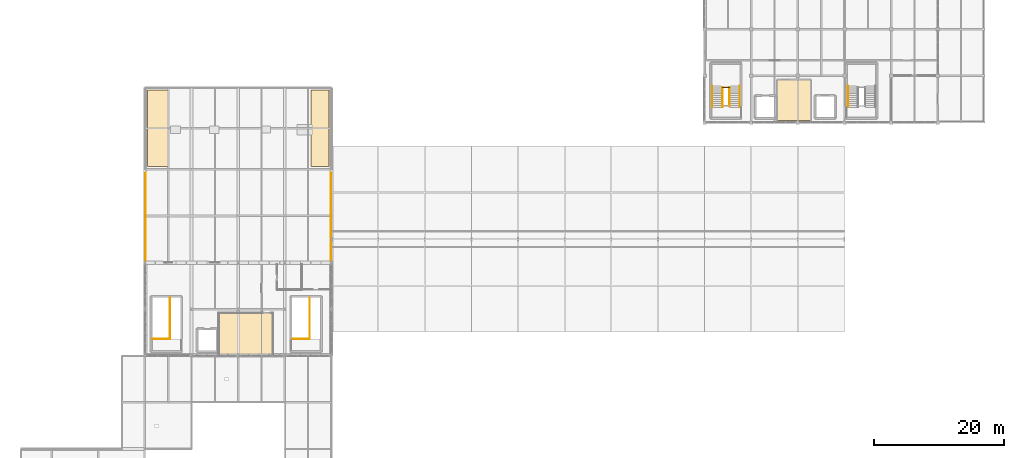
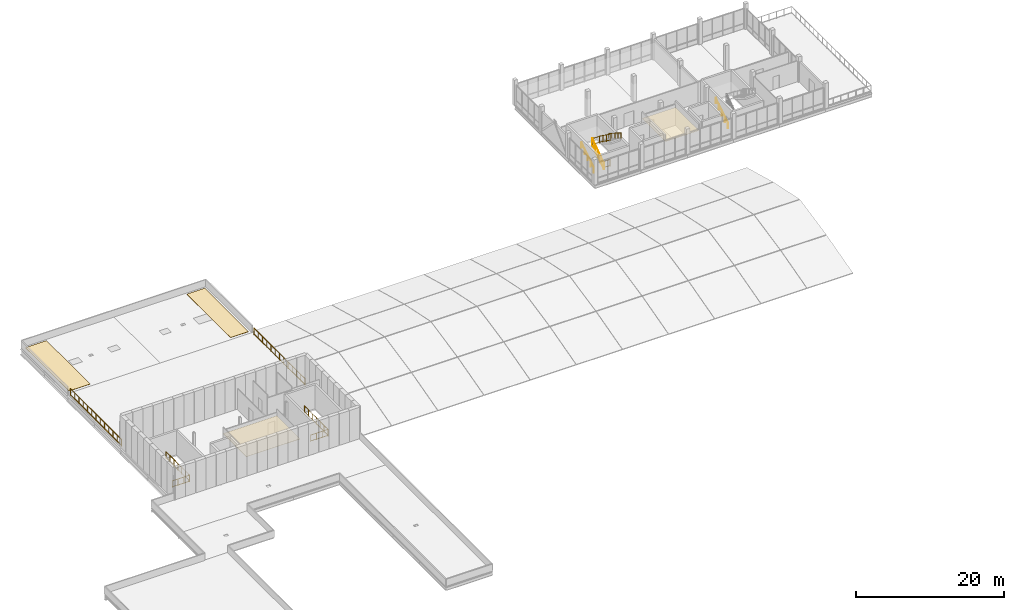
# One storey, part 44 of 47: 11 railings, 4 coverings.
"""IFC4 building model written with IfcOpenShell, lengths in metres."""

from ifc_helpers import new_model, si_unit, direction, frame, origin, origin_2d, place, context, subcontext, project, spatial, polyline, circle, outline, extrude, material, layer, layer_set, type_object, element, save


model = new_model("IFC4")

# Units and contexts
model_context = context("Model", 3, precision=1e-05, world=origin(), true_north=direction((0.0, 1.0)))
body_context = subcontext(model_context, "Body", "Model", "MODEL_VIEW")
ifc_project = project(units=[si_unit("LENGTHUNIT", "METRE"), si_unit("AREAUNIT", "SQUARE_METRE"), si_unit("VOLUMEUNIT", "CUBIC_METRE"), si_unit("PLANEANGLEUNIT", "RADIAN"), si_unit("MASSUNIT", "GRAM", prefix="KILO")], contexts=[model_context])

# Site, building, storey
site_placement = place(None, origin())
site = spatial("IfcSite", under=ifc_project, at=site_placement, CompositionType="ELEMENT")
building_placement = place(site_placement, origin())
building = spatial("IfcBuilding", under=site, at=building_placement, Name="Yarey Park Central Fire Station", CompositionType="ELEMENT")
storey_placement = place(building_placement, frame((0.0, 0.0, 18.0)))
storey = spatial("IfcBuildingStorey", under=building, at=storey_placement, Name="L05", CompositionType="ELEMENT", Elevation=18.0)

# Coverings
ifc_material_1 = material(Name="High-Albedo TPO Roofing Membrane", Category="membrane")
ifc_layer_1 = layer(ifc_material_1, 0.050048828125)
ifc_layer_set_1 = layer_set([ifc_layer_1], Name="High-Albedo TPO Roofing Membrane")
covering_type_1 = type_object("IfcCoveringType", Name="ENV_COV_ROOF_2", PredefinedType="ROOFING", material=ifc_layer_set_1)
covering_1_placement = place(storey_placement, origin())
element("IfcCovering", 1, at=covering_1_placement, inside=storey, type_object=covering_type_1, Name="ROOFING_L05_CNT1", PredefinedType="ROOFING", context=body_context, shape_type="SweptSolid", body=[
    extrude(outline(polyline([(29.199951171875, 86.800048828125), (32.5, 86.800048828125), (32.5, 98.60009765625), (29.199951171875, 98.60009765625), (29.199951171875, 86.800048828125)])), origin(), (0.0, 0.0, 1.0), 0.050048828125),
])
covering_2_placement = place(storey_placement, origin())
element("IfcCovering", 2, at=covering_2_placement, inside=storey, type_object=covering_type_1, Name="ROOFING_L05_CNT2", PredefinedType="ROOFING", context=body_context, shape_type="SweptSolid", body=[
    extrude(outline(polyline([(54.39990234375, 86.800048828125), (57.199951171875, 86.800048828125), (57.199951171875, 98.60009765625), (54.39990234375, 98.60009765625), (54.39990234375, 86.800048828125)])), origin(), (0.0, 0.0, 1.0), 0.050048828125),
])

# Railings
ifc_material_2 = material(Name="Stainless Steel AISI 316L", Category="steel")
railing_type_1 = type_object("IfcRailingType", Name="EXT_RAIL_GUARD112", PredefinedType="BALUSTRADE", material=ifc_material_2)
railing_1_placement = place(storey_placement, frame((28.8798828125, 72.080078125, 0.0)))
element("IfcRailing", 3, at=railing_1_placement, inside=storey, type_object=railing_type_1, Name="GRD_EXT_L05_GARDEN_W", PredefinedType="BALUSTRADE", context=body_context, shape_type="SweptSolid", body=[
    extrude(circle(Radius=0.02392578125, at=origin_2d()), frame((0.0, 0.0, 1.09619140625), z_axis=(0.0, 1.0, 0.0), x_axis=(-1.0, 0.0, 0.0)), (0.0, 0.0, 1.0), 13.77001953125),
    extrude(circle(Radius=0.02392578125, at=origin_2d()), frame((0.0, 0.0, 0.1201171875), z_axis=(0.0, 1.0, 0.0), x_axis=(-1.0, 0.0, 0.0)), (0.0, 0.0, 1.0), 13.77001953125),
    extrude(circle(Radius=0.02099609375, at=origin_2d()), origin(), (0.0, 0.0, 1.0), 1.072021484375),
    extrude(circle(Radius=0.02099609375, at=origin_2d()), frame((0.0, 1.1474609375, 0.0)), (0.0, 0.0, 1.0), 1.072021484375),
    extrude(circle(Radius=0.02099609375, at=origin_2d()), frame((0.0, 2.294921875, 0.0)), (0.0, 0.0, 1.0), 1.072021484375),
    extrude(circle(Radius=0.02099609375, at=origin_2d()), frame((0.0, 3.4423828125, 0.0)), (0.0, 0.0, 1.0), 1.072021484375),
    extrude(circle(Radius=0.02099609375, at=origin_2d()), frame((0.0, 4.590087890625, 0.0)), (0.0, 0.0, 1.0), 1.072021484375),
    extrude(circle(Radius=0.02099609375, at=origin_2d()), frame((0.0, 5.737548828125, 0.0)), (0.0, 0.0, 1.0), 1.072021484375),
    extrude(circle(Radius=0.02099609375, at=origin_2d()), frame((0.0, 6.885009765625, 0.0)), (0.0, 0.0, 1.0), 1.072021484375),
    extrude(circle(Radius=0.02099609375, at=origin_2d()), frame((0.0, 8.032470703125, 0.0)), (0.0, 0.0, 1.0), 1.072021484375),
    extrude(circle(Radius=0.02099609375, at=origin_2d()), frame((0.0, 9.179931640625, 0.0)), (0.0, 0.0, 1.0), 1.072021484375),
    extrude(circle(Radius=0.02099609375, at=origin_2d()), frame((0.0, 10.32763671875, 0.0)), (0.0, 0.0, 1.0), 1.072021484375),
    extrude(circle(Radius=0.02099609375, at=origin_2d()), frame((0.0, 11.47509765625, 0.0)), (0.0, 0.0, 1.0), 1.072021484375),
    extrude(circle(Radius=0.02099609375, at=origin_2d()), frame((0.0, 12.62255859375, 0.0)), (0.0, 0.0, 1.0), 1.072021484375),
    extrude(circle(Radius=0.02099609375, at=origin_2d()), frame((0.0, 13.77001953125, 0.0)), (0.0, 0.0, 1.0), 1.072021484375),
])
railing_2_placement = place(storey_placement, frame((57.52001953125, 72.080078125, 0.0)))
element("IfcRailing", 4, at=railing_2_placement, inside=storey, type_object=railing_type_1, Name="GRD_EXT_L05_GARDEN_E", PredefinedType="BALUSTRADE", context=body_context, shape_type="SweptSolid", body=[
    extrude(circle(Radius=0.02392578125, at=origin_2d()), frame((0.0, 0.0, 1.09619140625), z_axis=(0.0, 1.0, 0.0), x_axis=(-1.0, 0.0, 0.0)), (0.0, 0.0, 1.0), 13.77001953125),
    extrude(circle(Radius=0.02392578125, at=origin_2d()), frame((0.0, 0.0, 0.1201171875), z_axis=(0.0, 1.0, 0.0), x_axis=(-1.0, 0.0, 0.0)), (0.0, 0.0, 1.0), 13.77001953125),
    extrude(circle(Radius=0.02099609375, at=origin_2d()), origin(), (0.0, 0.0, 1.0), 1.072021484375),
    extrude(circle(Radius=0.02099609375, at=origin_2d()), frame((0.0, 1.1474609375, 0.0)), (0.0, 0.0, 1.0), 1.072021484375),
    extrude(circle(Radius=0.02099609375, at=origin_2d()), frame((0.0, 2.294921875, 0.0)), (0.0, 0.0, 1.0), 1.072021484375),
    extrude(circle(Radius=0.02099609375, at=origin_2d()), frame((0.0, 3.4423828125, 0.0)), (0.0, 0.0, 1.0), 1.072021484375),
    extrude(circle(Radius=0.02099609375, at=origin_2d()), frame((0.0, 4.590087890625, 0.0)), (0.0, 0.0, 1.0), 1.072021484375),
    extrude(circle(Radius=0.02099609375, at=origin_2d()), frame((0.0, 5.737548828125, 0.0)), (0.0, 0.0, 1.0), 1.072021484375),
    extrude(circle(Radius=0.02099609375, at=origin_2d()), frame((0.0, 6.885009765625, 0.0)), (0.0, 0.0, 1.0), 1.072021484375),
    extrude(circle(Radius=0.02099609375, at=origin_2d()), frame((0.0, 8.032470703125, 0.0)), (0.0, 0.0, 1.0), 1.072021484375),
    extrude(circle(Radius=0.02099609375, at=origin_2d()), frame((0.0, 9.179931640625, 0.0)), (0.0, 0.0, 1.0), 1.072021484375),
    extrude(circle(Radius=0.02099609375, at=origin_2d()), frame((0.0, 10.32763671875, 0.0)), (0.0, 0.0, 1.0), 1.072021484375),
    extrude(circle(Radius=0.02099609375, at=origin_2d()), frame((0.0, 11.47509765625, 0.0)), (0.0, 0.0, 1.0), 1.072021484375),
    extrude(circle(Radius=0.02099609375, at=origin_2d()), frame((0.0, 12.62255859375, 0.0)), (0.0, 0.0, 1.0), 1.072021484375),
    extrude(circle(Radius=0.02099609375, at=origin_2d()), frame((0.0, 13.77001953125, 0.0)), (0.0, 0.0, 1.0), 1.072021484375),
])

# Coverings
ifc_material_3 = material(Name="Acoustic Mineral Fibre Tile", Category="finish")
ifc_layer_2 = layer(ifc_material_3, 0.02001953125)
ifc_layer_set_2 = layer_set([ifc_layer_2], Name="Acoustic Mineral Fibre Tile")
covering_type_2 = type_object("IfcCoveringType", Name="INT_CEIL_ACT_1", PredefinedType="CEILING", material=ifc_layer_set_2)
covering_3_placement = place(storey_placement, frame((0.0, 0.0, 2.85009765625)))
element("IfcCovering", 5, at=covering_3_placement, inside=storey, type_object=covering_type_2, Name="CEIL_SPC_L05_CRISIS", PredefinedType="CEILING", context=body_context, shape_type="SweptSolid", body=[
    extrude(outline(polyline([(126.389892578125, 93.889892578125), (131.610107421875, 93.889892578125), (131.610107421875, 100.2099609375), (126.389892578125, 100.2099609375), (126.389892578125, 93.889892578125)])), origin(), (0.0, 0.0, 1.0), 0.02001953125),
])
ifc_layer_3 = layer(ifc_material_3, 0.031982421875)
ifc_layer_set_3 = layer_set([ifc_layer_3], Name="Acoustic Mineral Fibre Tile")
covering_type_3 = type_object("IfcCoveringType", Name="INT_CEIL_ACT_2", PredefinedType="CEILING", material=ifc_layer_set_3)
covering_4_placement = place(storey_placement, frame((0.0, 0.0, 2.85009765625)))
element("IfcCovering", 6, at=covering_4_placement, inside=storey, type_object=covering_type_3, Name="CEIL_SPC_L05_STUDY", PredefinedType="CEILING", context=body_context, shape_type="SweptSolid", body=[
    extrude(outline(polyline([(40.18994140625, 57.889892578125), (48.610107421875, 57.889892578125), (48.610107421875, 64.2099609375), (40.18994140625, 64.2099609375), (40.18994140625, 57.889892578125)])), origin(), (0.0, 0.0, 1.0), 0.031982421875),
])

# Railings
ifc_material_4 = material(Name="Galvanized Steel Balustrade", Category="steel")
railing_type_2 = type_object("IfcRailingType", Name="INT_RAIL_GUARD112", PredefinedType="BALUSTRADE", material=ifc_material_4)
railing_3_placement = place(storey_placement, frame((117.949951171875, 95.949951171875, 0.0)))
element("IfcRailing", 7, at=railing_3_placement, inside=storey, type_object=railing_type_2, Name="GRD_C1_L05_F1", PredefinedType="BALUSTRADE", context=body_context, shape_type="SweptSolid", body=[
    extrude(circle(Radius=0.02392578125, at=origin_2d()), frame((0.0, 0.0, 1.09619140625), z_axis=(0.0, 0.827914784024, 0.560853911811), x_axis=(-1.0, 0.0, 0.0)), (0.0, 0.0, 1.0), 3.744384765625),
    extrude(circle(Radius=0.02392578125, at=origin_2d()), frame((0.0, 0.0, 0.1201171875), z_axis=(0.0, 0.827914784024, 0.560853911811), x_axis=(-1.0, 0.0, 0.0)), (0.0, 0.0, 1.0), 3.744384765625),
    extrude(circle(Radius=0.02099609375, at=origin_2d()), origin(), (0.0, 0.0, 1.0), 1.072021484375),
    extrude(circle(Radius=0.02099609375, at=origin_2d()), frame((0.0, 0.77490234375, 0.52490234375)), (0.0, 0.0, 1.0), 1.072021484375),
    extrude(circle(Radius=0.02099609375, at=origin_2d()), frame((0.0, 1.550048828125, 1.050048828125)), (0.0, 0.0, 1.0), 1.072021484375),
    extrude(circle(Radius=0.02099609375, at=origin_2d()), frame((0.0, 2.3251953125, 1.5751953125)), (0.0, 0.0, 1.0), 1.072021484375),
    extrude(circle(Radius=0.02099609375, at=origin_2d()), frame((0.0, 3.10009765625, 2.10009765625)), (0.0, 0.0, 1.0), 1.072021484375),
])
railing_4_placement = place(storey_placement, frame((119.050048828125, 99.050048828125, 2.10009765625)))
element("IfcRailing", 8, at=railing_4_placement, inside=storey, type_object=railing_type_2, Name="GRD_C1_L05_F2", PredefinedType="BALUSTRADE", context=body_context, shape_type="SweptSolid", body=[
    extrude(circle(Radius=0.02392578125, at=origin_2d()), frame((0.0, 0.0, 1.09619140625), z_axis=(0.0, -0.809975627919, 0.586463538659), x_axis=(1.0, 0.0, 0.0)), (0.0, 0.0, 1.0), 3.58056640625),
    extrude(circle(Radius=0.02392578125, at=origin_2d()), frame((0.0, 0.0, 0.1201171875), z_axis=(0.0, -0.809975627919, 0.586463538659), x_axis=(1.0, 0.0, 0.0)), (0.0, 0.0, 1.0), 3.58056640625),
    extrude(circle(Radius=0.02099609375, at=origin_2d()), origin(), (0.0, 0.0, 1.0), 1.072021484375),
    extrude(circle(Radius=0.02099609375, at=origin_2d()), frame((0.0, -0.966796875, 0.699951171875)), (0.0, 0.0, 1.0), 1.072021484375),
    extrude(circle(Radius=0.02099609375, at=origin_2d()), frame((0.0, -1.933349609375, 1.39990234375)), (0.0, 0.0, 1.0), 1.072021484375),
    extrude(circle(Radius=0.02099609375, at=origin_2d()), frame((0.0, -2.900146484375, 2.099853515625)), (0.0, 0.0, 1.0), 1.072021484375),
])
for number, where, name in (
    (9, (117.949951171875, 99.030029296875, 2.10009765625), "GRD_C1_L05_SLOT_MID"),
    (10, (117.949951171875, 96.179931640625, 0.0), "GRD_C1_L05_SLOT_BOT"),
):
    element("IfcRailing", number, at=place(storey_placement, frame(where)), inside=storey, type_object=railing_type_2, Name=name, PredefinedType="BALUSTRADE", context=body_context, shape_type="SweptSolid", body=[
        extrude(circle(Radius=0.02392578125, at=origin_2d()), frame((0.0, 0.0, 1.09619140625), z_axis=(1.0, 0.0, 0.0), x_axis=(0.0, 1.0, 0.0)), (0.0, 0.0, 1.0), 1.10009765625),
        extrude(circle(Radius=0.02392578125, at=origin_2d()), frame((0.0, 0.0, 0.1201171875), z_axis=(1.0, 0.0, 0.0), x_axis=(0.0, 1.0, 0.0)), (0.0, 0.0, 1.0), 1.10009765625),
        extrude(circle(Radius=0.02099609375, at=origin_2d()), origin(), (0.0, 0.0, 1.0), 1.072021484375),
        extrude(circle(Radius=0.02099609375, at=origin_2d()), frame((1.10009765625, 0.0, 0.0)), (0.0, 0.0, 1.0), 1.072021484375),
    ])
railing_5_placement = place(storey_placement, frame((29.949951171875, 60.179931640625, 0.0)))
element("IfcRailing", 11, at=railing_5_placement, inside=storey, type_object=railing_type_2, Name="GRD_C3_L05_TOPWELL", PredefinedType="BALUSTRADE", context=body_context, shape_type="SweptSolid", body=[
    extrude(circle(Radius=0.02392578125, at=origin_2d()), frame((0.0, 0.0, 1.09619140625), z_axis=(1.0, 0.0, 0.0), x_axis=(0.0, 1.0, 0.0)), (0.0, 0.0, 1.0), 2.699951171875),
    extrude(circle(Radius=0.02392578125, at=origin_2d()), frame((0.0, 0.0, 0.1201171875), z_axis=(1.0, 0.0, 0.0), x_axis=(0.0, 1.0, 0.0)), (0.0, 0.0, 1.0), 2.699951171875),
    extrude(circle(Radius=0.02392578125, at=origin_2d()), frame((2.699951171875, 0.0, 1.09619140625), z_axis=(0.0, 1.0, 0.0), x_axis=(-1.0, 0.0, 0.0)), (0.0, 0.0, 1.0), 6.3701171875),
    extrude(circle(Radius=0.02392578125, at=origin_2d()), frame((2.699951171875, 0.0, 0.1201171875), z_axis=(0.0, 1.0, 0.0), x_axis=(-1.0, 0.0, 0.0)), (0.0, 0.0, 1.0), 6.3701171875),
    extrude(circle(Radius=0.02099609375, at=origin_2d()), origin(), (0.0, 0.0, 1.0), 1.072021484375),
    extrude(circle(Radius=0.02099609375, at=origin_2d()), frame((0.89990234375, 0.0, 0.0)), (0.0, 0.0, 1.0), 1.072021484375),
    extrude(circle(Radius=0.02099609375, at=origin_2d()), frame((1.800048828125, 0.0, 0.0)), (0.0, 0.0, 1.0), 1.072021484375),
    extrude(circle(Radius=0.02099609375, at=origin_2d()), frame((2.699951171875, 0.0, 0.0)), (0.0, 0.0, 1.0), 1.072021484375),
    extrude(circle(Radius=0.02099609375, at=origin_2d()), frame((2.699951171875, 1.061767578125, 0.0)), (0.0, 0.0, 1.0), 1.072021484375),
    extrude(circle(Radius=0.02099609375, at=origin_2d()), frame((2.699951171875, 2.123291015625, 0.0)), (0.0, 0.0, 1.0), 1.072021484375),
    extrude(circle(Radius=0.02099609375, at=origin_2d()), frame((2.699951171875, 3.18505859375, 0.0)), (0.0, 0.0, 1.0), 1.072021484375),
    extrude(circle(Radius=0.02099609375, at=origin_2d()), frame((2.699951171875, 4.246826171875, 0.0)), (0.0, 0.0, 1.0), 1.072021484375),
    extrude(circle(Radius=0.02099609375, at=origin_2d()), frame((2.699951171875, 5.308349609375, 0.0)), (0.0, 0.0, 1.0), 1.072021484375),
    extrude(circle(Radius=0.02099609375, at=origin_2d()), frame((2.699951171875, 6.3701171875, 0.0)), (0.0, 0.0, 1.0), 1.072021484375),
])
railing_6_placement = place(storey_placement, frame((51.550048828125, 60.179931640625, 0.0)))
element("IfcRailing", 12, at=railing_6_placement, inside=storey, type_object=railing_type_2, Name="GRD_C4_L05_TOPWELL", PredefinedType="BALUSTRADE", context=body_context, shape_type="SweptSolid", body=[
    extrude(circle(Radius=0.02392578125, at=origin_2d()), frame((0.0, 0.0, 1.09619140625), z_axis=(1.0, 0.0, 0.0), x_axis=(0.0, 1.0, 0.0)), (0.0, 0.0, 1.0), 2.699951171875),
    extrude(circle(Radius=0.02392578125, at=origin_2d()), frame((0.0, 0.0, 0.1201171875), z_axis=(1.0, 0.0, 0.0), x_axis=(0.0, 1.0, 0.0)), (0.0, 0.0, 1.0), 2.699951171875),
    extrude(circle(Radius=0.02392578125, at=origin_2d()), frame((2.699951171875, 0.0, 1.09619140625), z_axis=(0.0, 1.0, 0.0), x_axis=(-1.0, 0.0, 0.0)), (0.0, 0.0, 1.0), 6.3701171875),
    extrude(circle(Radius=0.02392578125, at=origin_2d()), frame((2.699951171875, 0.0, 0.1201171875), z_axis=(0.0, 1.0, 0.0), x_axis=(-1.0, 0.0, 0.0)), (0.0, 0.0, 1.0), 6.3701171875),
    extrude(circle(Radius=0.02099609375, at=origin_2d()), origin(), (0.0, 0.0, 1.0), 1.072021484375),
    extrude(circle(Radius=0.02099609375, at=origin_2d()), frame((0.89990234375, 0.0, 0.0)), (0.0, 0.0, 1.0), 1.072021484375),
    extrude(circle(Radius=0.02099609375, at=origin_2d()), frame((1.800048828125, 0.0, 0.0)), (0.0, 0.0, 1.0), 1.072021484375),
    extrude(circle(Radius=0.02099609375, at=origin_2d()), frame((2.699951171875, 0.0, 0.0)), (0.0, 0.0, 1.0), 1.072021484375),
    extrude(circle(Radius=0.02099609375, at=origin_2d()), frame((2.699951171875, 1.061767578125, 0.0)), (0.0, 0.0, 1.0), 1.072021484375),
    extrude(circle(Radius=0.02099609375, at=origin_2d()), frame((2.699951171875, 2.123291015625, 0.0)), (0.0, 0.0, 1.0), 1.072021484375),
    extrude(circle(Radius=0.02099609375, at=origin_2d()), frame((2.699951171875, 3.18505859375, 0.0)), (0.0, 0.0, 1.0), 1.072021484375),
    extrude(circle(Radius=0.02099609375, at=origin_2d()), frame((2.699951171875, 4.246826171875, 0.0)), (0.0, 0.0, 1.0), 1.072021484375),
    extrude(circle(Radius=0.02099609375, at=origin_2d()), frame((2.699951171875, 5.308349609375, 0.0)), (0.0, 0.0, 1.0), 1.072021484375),
    extrude(circle(Radius=0.02099609375, at=origin_2d()), frame((2.699951171875, 6.3701171875, 0.0)), (0.0, 0.0, 1.0), 1.072021484375),
])
railing_type_3 = type_object("IfcRailingType", Name="INT_RAIL_HAND090", PredefinedType="HANDRAIL", material=ifc_material_2)
railing_7_placement = place(storey_placement, frame((116.3798828125, 95.949951171875, 0.0)))
element("IfcRailing", 13, at=railing_7_placement, inside=storey, type_object=railing_type_3, Name="HR_C1_L05_F1", PredefinedType="HANDRAIL", context=body_context, shape_type="SweptSolid", body=[
    extrude(circle(Radius=0.02392578125, at=origin_2d()), frame((0.0, 0.0, 0.8759765625), z_axis=(0.0, 0.843653777646, 0.53688760785), x_axis=(-1.0, 0.0, 0.0)), (0.0, 0.0, 1.0), 3.91162109375),
    extrude(circle(Radius=0.02099609375, at=origin_2d()), origin(), (0.0, 0.0, 1.0), 0.851806640625),
    extrude(circle(Radius=0.02099609375, at=origin_2d()), frame((0.0, 0.824951171875, 0.52490234375)), (0.0, 0.0, 1.0), 0.851806640625),
    extrude(circle(Radius=0.02099609375, at=origin_2d()), frame((0.0, 1.64990234375, 1.050048828125)), (0.0, 0.0, 1.0), 0.851806640625),
    extrude(circle(Radius=0.02099609375, at=origin_2d()), frame((0.0, 2.47509765625, 1.5751953125)), (0.0, 0.0, 1.0), 0.851806640625),
    extrude(circle(Radius=0.02099609375, at=origin_2d()), frame((0.0, 3.300048828125, 2.10009765625)), (0.0, 0.0, 1.0), 0.851806640625),
])
railing_8_placement = place(storey_placement, frame((120.6201171875, 99.25, 2.10009765625)))
element("IfcRailing", 14, at=railing_8_placement, inside=storey, type_object=railing_type_3, Name="HR_C1_L05_F2", PredefinedType="HANDRAIL", context=body_context, shape_type="SweptSolid", body=[
    extrude(circle(Radius=0.02392578125, at=origin_2d()), frame((0.0, 0.0, 0.8759765625), z_axis=(0.0, -0.843682047799, 0.53684318215), x_axis=(1.0, 0.0, 0.0)), (0.0, 0.0, 1.0), 3.911376953125),
    extrude(circle(Radius=0.02099609375, at=origin_2d()), origin(), (0.0, 0.0, 1.0), 0.851806640625),
    extrude(circle(Radius=0.02099609375, at=origin_2d()), frame((0.0, -0.824951171875, 0.52490234375)), (0.0, 0.0, 1.0), 0.851806640625),
    extrude(circle(Radius=0.02099609375, at=origin_2d()), frame((0.0, -1.64990234375, 1.0498046875)), (0.0, 0.0, 1.0), 0.851806640625),
    extrude(circle(Radius=0.02099609375, at=origin_2d()), frame((0.0, -2.47509765625, 1.574951171875)), (0.0, 0.0, 1.0), 0.851806640625),
    extrude(circle(Radius=0.02099609375, at=origin_2d()), frame((0.0, -3.300048828125, 2.099853515625)), (0.0, 0.0, 1.0), 0.851806640625),
])
railing_9_placement = place(storey_placement, frame((137.330078125, 95.949951171875, 0.0)))
element("IfcRailing", 15, at=railing_9_placement, inside=storey, type_object=railing_type_3, Name="HR_C2_L05_F1", PredefinedType="HANDRAIL", context=body_context, shape_type="SweptSolid", body=[
    extrude(circle(Radius=0.02392578125, at=origin_2d()), frame((0.0, 0.0, 0.8759765625), z_axis=(0.0, 0.843653777646, 0.53688760785), x_axis=(-1.0, 0.0, 0.0)), (0.0, 0.0, 1.0), 3.91162109375),
    extrude(circle(Radius=0.02099609375, at=origin_2d()), origin(), (0.0, 0.0, 1.0), 0.851806640625),
    extrude(circle(Radius=0.02099609375, at=origin_2d()), frame((0.0, 0.824951171875, 0.52490234375)), (0.0, 0.0, 1.0), 0.851806640625),
    extrude(circle(Radius=0.02099609375, at=origin_2d()), frame((0.0, 1.64990234375, 1.050048828125)), (0.0, 0.0, 1.0), 0.851806640625),
    extrude(circle(Radius=0.02099609375, at=origin_2d()), frame((0.0, 2.47509765625, 1.5751953125)), (0.0, 0.0, 1.0), 0.851806640625),
    extrude(circle(Radius=0.02099609375, at=origin_2d()), frame((0.0, 3.300048828125, 2.10009765625)), (0.0, 0.0, 1.0), 0.851806640625),
])

save(model, "model.ifc")
